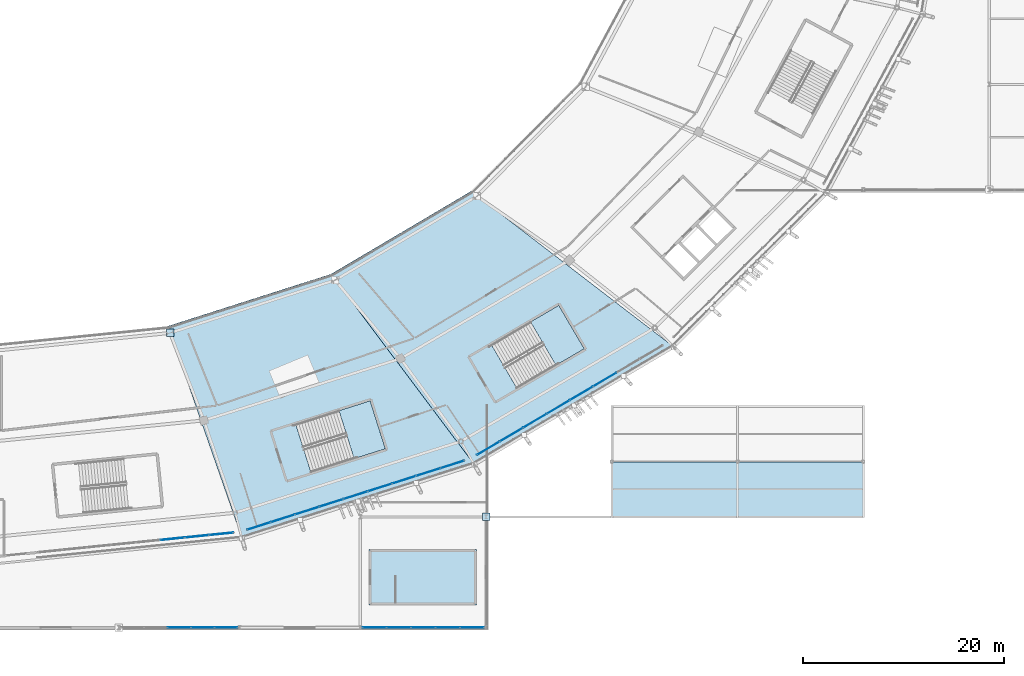
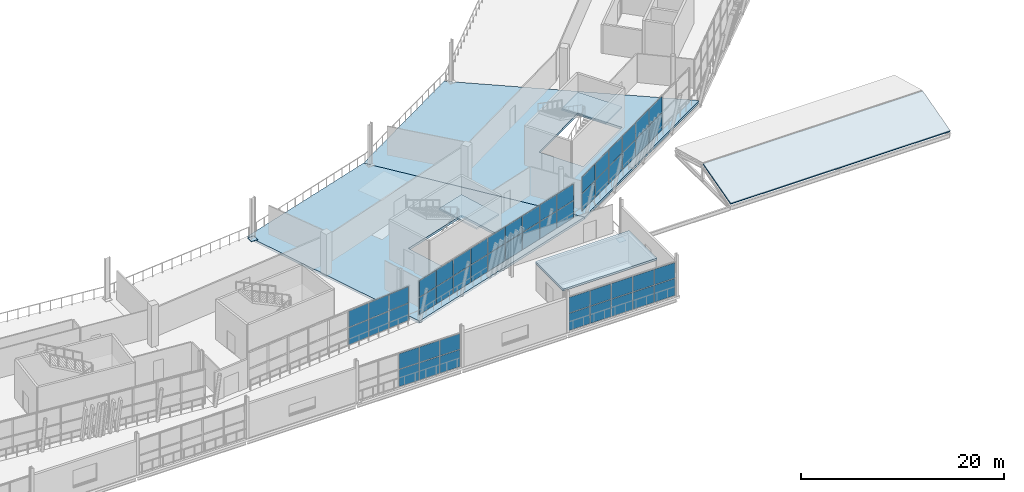
# One storey, part 96 of 179: 54 plates, 6 slabs, 8 elements without a shape of their own.
"""IFC4 building model written with IfcOpenShell, lengths in metres."""

from ifc_helpers import new_model, si_unit, direction, frame, origin, origin_2d, place, context, subcontext, project, spatial, polyline, rectangle, outline, extrude, material, layer, layer_set, type_object, element, aggregate, save


model = new_model("IFC4")

# Units and contexts
model_context = context("Model", 3, precision=1e-05, world=origin(), true_north=direction((0.0, 1.0)))
body_context = subcontext(model_context, "Body", "Model", "MODEL_VIEW")
ifc_project = project(units=[si_unit("LENGTHUNIT", "METRE"), si_unit("AREAUNIT", "SQUARE_METRE"), si_unit("VOLUMEUNIT", "CUBIC_METRE"), si_unit("PLANEANGLEUNIT", "RADIAN"), si_unit("MASSUNIT", "GRAM", prefix="KILO")], contexts=[model_context])

# Site, building, storey
site_placement = place(None, origin())
site = spatial("IfcSite", under=ifc_project, at=site_placement, CompositionType="ELEMENT")
building_placement = place(site_placement, origin())
building = spatial("IfcBuilding", under=site, at=building_placement, Name="Zlatoyarsky Gate Stadium", CompositionType="ELEMENT")
storey_placement = place(building_placement, frame((0.0, 0.0, 10.60009765625)))
storey = spatial("IfcBuildingStorey", under=building, at=storey_placement, Name="L02", CompositionType="ELEMENT", Elevation=10.60009765625)

# Curtain wall, plates
ifc_material_1 = material(Name="Thermally broken anodised aluminium curtain wall", Category="aluminium")
curtain_wall_type_1 = type_object("IfcCurtainWallType", Name="MONUMENTAL ARCHED GATE GLAZING UPPER", PredefinedType="USERDEFINED", material=ifc_material_1)
curtain_wall_1_placement = place(storey_placement, origin())
curtain_wall_1 = element("IfcCurtainWall", 1, at=curtain_wall_1_placement, inside=storey, type_object=curtain_wall_type_1, Name="Curtain wall CW-L02-18", ObjectType="ARCHED GATE GLAZING", PredefinedType="USERDEFINED")
ifc_material_2 = material(Name="Triple-glazed argon low-e architectural glass", Category="glass")
ifc_layer_1 = layer(ifc_material_2, 0.0458984375)
ifc_layer_set_1 = layer_set([ifc_layer_1], Name="Triple-glazed argon low-e architectural glass")
plate_type_1 = type_object("IfcPlateType", Name="ACOUSTIC LAMINATED GATE GLAZING PANEL 46", PredefinedType="CURTAIN_PANEL", material=ifc_layer_set_1)
plate_1_placement = place(storey_placement, frame((128.8388671875, 8.82861328125, 0.074951171875), z_axis=(0.0, 0.0, 1.0), x_axis=(0.994922667712, 0.100642363208, 0.0)))
plate_1 = element("IfcPlate", 2, at=plate_1_placement, type_object=plate_type_1, Name="CW-AG2 panel 6.1", PredefinedType="CURTAIN_PANEL", context=body_context, shape_type="SweptSolid", body=[
    extrude(rectangle(XDim=2.3759765625, YDim=0.0458984375, at=origin_2d()), origin(), (0.0, 0.0, 1.0), 2.03759765625),
])
plate_2_placement = place(storey_placement, frame((128.8388671875, 8.82861328125, 2.1875), z_axis=(0.0, 0.0, 1.0), x_axis=(0.994922667712, 0.100642363208, 0.0)))
plate_2 = element("IfcPlate", 3, at=plate_2_placement, type_object=plate_type_1, Name="CW-AG2 panel 6.2", PredefinedType="CURTAIN_PANEL", context=body_context, shape_type="SweptSolid", body=[
    extrude(rectangle(XDim=2.3759765625, YDim=0.0458984375, at=origin_2d()), origin(), (0.0, 0.0, 1.0), 1.9375),
])
plate_3_placement = place(storey_placement, frame((131.27734375, 9.0751953125, 0.074951171875), z_axis=(0.0, 0.0, 1.0), x_axis=(0.994922667712, 0.100642363208, 0.0)))
plate_3 = element("IfcPlate", 4, at=plate_3_placement, type_object=plate_type_1, Name="CW-AG2 panel 7.1", PredefinedType="CURTAIN_PANEL", context=body_context, shape_type="SweptSolid", body=[
    extrude(rectangle(XDim=2.3759765625, YDim=0.0458984375, at=origin_2d()), origin(), (0.0, 0.0, 1.0), 2.03759765625),
])
plate_4_placement = place(storey_placement, frame((131.27734375, 9.0751953125, 2.1875), z_axis=(0.0, 0.0, 1.0), x_axis=(0.994922667712, 0.100642363208, 0.0)))
plate_4 = element("IfcPlate", 5, at=plate_4_placement, type_object=plate_type_1, Name="CW-AG2 panel 7.2", PredefinedType="CURTAIN_PANEL", context=body_context, shape_type="SweptSolid", body=[
    extrude(rectangle(XDim=2.3759765625, YDim=0.0458984375, at=origin_2d()), origin(), (0.0, 0.0, 1.0), 1.9375),
])
plate_5_placement = place(storey_placement, frame((133.697021484375, 9.320068359375, 0.074951171875), z_axis=(0.0, 0.0, 1.0), x_axis=(0.994922667712, 0.100642363208, 0.0)))
plate_5 = element("IfcPlate", 6, at=plate_5_placement, type_object=plate_type_1, Name="CW-AG2 panel 8.1", PredefinedType="CURTAIN_PANEL", context=body_context, shape_type="SweptSolid", body=[
    extrude(rectangle(XDim=2.33837890625, YDim=0.0458984375, at=origin_2d()), origin(), (0.0, 0.0, 1.0), 2.03759765625),
])
plate_6_placement = place(storey_placement, frame((133.697021484375, 9.320068359375, 2.1875), z_axis=(0.0, 0.0, 1.0), x_axis=(0.994922667712, 0.100642363208, 0.0)))
plate_6 = element("IfcPlate", 7, at=plate_6_placement, type_object=plate_type_1, Name="CW-AG2 panel 8.2", PredefinedType="CURTAIN_PANEL", context=body_context, shape_type="SweptSolid", body=[
    extrude(rectangle(XDim=2.33837890625, YDim=0.0458984375, at=origin_2d()), origin(), (0.0, 0.0, 1.0), 1.9375),
])
aggregate(curtain_wall_1, [plate_1, plate_2, plate_3, plate_4, plate_5, plate_6])

# Roof, slab
ifc_material_3 = material(Name="Standing-seam aluminium-zinc roofing with mineral wool insulation", Category="aluminium")
ifc_layer_2 = layer(ifc_material_3, 0.080078125)
ifc_layer_set_2 = layer_set([ifc_layer_2], Name="Standing-seam aluminium-zinc roofing with mineral wool insulation")
roof_type = type_object("IfcRoofType", Name="WINTER GARDEN PAVILION ROOF ASSEMBLY", PredefinedType="PAVILION_ROOF", material=ifc_layer_set_2)
roof_placement = place(storey_placement, origin())
roof = element("IfcRoof", 8, at=roof_placement, inside=storey, type_object=roof_type, Name="V6_SE pavilion roof", PredefinedType="PAVILION_ROOF")
ifc_material_4 = material(Name="Concrete C40/50", Category="concrete")
ifc_layer_3 = layer(ifc_material_4, 0.159912109375)
ifc_layer_set_3 = layer_set([ifc_layer_3], Name="Concrete C40/50")
slab_type_1 = type_object("IfcSlabType", Name="COMPOSITE PORTICO CANOPY SLAB 160", PredefinedType="ROOF", material=ifc_layer_set_3)
slab_1_placement = place(storey_placement, frame((172.5, 11.0, 0.0), z_axis=(0.0, -0.263080822719, 0.964773797694), x_axis=(1.0, 0.0, 0.0)))
slab_1 = element("IfcSlab", 9, at=slab_1_placement, type_object=slab_type_1, Name="V6_SE sloped roof slab 1", PredefinedType="ROOF", context=body_context, shape_type="SweptSolid", body=[
    extrude(outline(polyline([(0.0, 0.0), (25.0, 0.0), (25.0, 5.646917505320693), (0.0, 5.646917505320693), (0.0, 0.0)])), origin(), (0.0, 0.0, -1.0), 0.159912109375),
])
aggregate(roof, [slab_1])

# Slabs
ifc_layer_4 = layer(ifc_material_4, 0.239990234375)
ifc_layer_set_4 = layer_set([ifc_layer_4], Name="Concrete C40/50")
slab_type_2 = type_object("IfcSlabType", Name="CONCRETE CORE TOP CAP SLAB 240", PredefinedType="ROOF", material=ifc_layer_set_4)
slab_2_placement = place(storey_placement, frame((0.0, 0.0, 3.199951171875)))
element("IfcSlab", 10, at=slab_2_placement, inside=storey, type_object=slab_type_2, Name="ST-30 stair headhouse roof cap", PredefinedType="ROOF", context=body_context, shape_type="SweptSolid", body=[
    extrude(outline(polyline([(148.35009765625, 2.25), (159.050048828125, 2.25), (159.050048828125, 7.75), (148.35009765625, 7.75), (148.35009765625, 2.25)])), origin(), (0.0, 0.0, 1.0), 0.239990234375),
])
ifc_layer_5 = layer(ifc_material_4, 0.280029296875)
ifc_layer_set_5 = layer_set([ifc_layer_5], Name="Concrete C40/50")
slab_type_3 = type_object("IfcSlabType", Name="CONCRETE HOSPITALITY SLAB 280", PredefinedType="FLOOR", material=ifc_layer_set_5)
slab_3_placement = place(storey_placement, frame((0.0, 0.0, -0.280029296875)))
element("IfcSlab", 11, at=slab_3_placement, inside=storey, type_object=slab_type_3, Name="L02 bowl sector 19 slab", PredefinedType="FLOOR", context=body_context, shape_type="SweptSolid", body=[
    extrude(outline(polyline([(144.60009765625, 35.139892578125), (158.837890625, 16.19482421875), (135.7626953125, 8.83447265625), (128.392578125, 29.965087890625), (144.60009765625, 35.139892578125)]), holes=[polyline([(141.09228515625, 20.205078125), (142.60009765625, 15.437744140625), (149.9892578125, 17.7744140625), (148.481689453125, 22.541748046875), (141.09228515625, 20.205078125)])]), origin(), (0.0, 0.0, 1.0), 0.280029296875),
])
slab_4_placement = place(storey_placement, frame((0.0, 0.0, -0.280029296875)))
element("IfcSlab", 12, at=slab_4_placement, inside=storey, type_object=slab_type_3, Name="L02 bowl sector 20 slab", PredefinedType="FLOOR", context=body_context, shape_type="SweptSolid", body=[
    extrude(outline(polyline([(158.517578125, 43.371826171875), (178.653076171875, 27.9033203125), (158.837890625, 16.19482421875), (144.60009765625, 35.139892578125), (158.517578125, 43.371826171875)]), holes=[polyline([(160.538330078125, 28.10986328125), (163.065673828125, 23.795654296875), (169.752685546875, 27.712890625), (167.225341796875, 32.027099609375), (160.538330078125, 28.10986328125)])]), origin(), (0.0, 0.0, 1.0), 0.280029296875),
])

# Stair, slab
stair_type = type_object("IfcStairType", Name="CONCRETE DOGLEG EXIT STAIR H5000", PredefinedType="TWO_STRAIGHT_RUN_STAIR", material=ifc_material_4)
stair_1_placement = place(storey_placement, origin())
stair_1 = element("IfcStair", 13, at=stair_1_placement, inside=storey, type_object=stair_type, Name="L02 Exit Stair ST-11", PredefinedType="TWO_STRAIGHT_RUN_STAIR")
ifc_layer_6 = layer(ifc_material_4, 0.199951171875)
ifc_layer_set_6 = layer_set([ifc_layer_6], Name="Concrete C40/50")
slab_type_4 = type_object("IfcSlabType", Name="CONCRETE STAIR LANDING SLAB 200", PredefinedType="LANDING", material=ifc_layer_set_6)
slab_5_placement = place(storey_placement, frame((0.0, 0.0, 2.2998046875)))
slab_5 = element("IfcSlab", 14, at=slab_5_placement, type_object=slab_type_4, Name="ST-DG50 landing 1", PredefinedType="LANDING", context=body_context, shape_type="SweptSolid", body=[
    extrude(outline(polyline([(166.948486328125, 26.070068359375), (169.752685546875, 27.712890625), (167.225341796875, 32.027099609375), (164.421142578125, 30.384521484375), (166.948486328125, 26.070068359375)])), origin(), (0.0, 0.0, 1.0), 0.2001953125),
])
aggregate(stair_1, [slab_5])

stair_2_placement = place(storey_placement, origin())
stair_2 = element("IfcStair", 15, at=stair_2_placement, inside=storey, type_object=stair_type, Name="L02 Exit Stair ST-16", PredefinedType="TWO_STRAIGHT_RUN_STAIR")
slab_6_placement = place(storey_placement, frame((0.0, 0.0, 2.2998046875)))
slab_6 = element("IfcSlab", 16, at=slab_6_placement, type_object=slab_type_4, Name="ST-DG50 landing 1", PredefinedType="LANDING", context=body_context, shape_type="SweptSolid", body=[
    extrude(outline(polyline([(146.890625, 16.794677734375), (149.9892578125, 17.7744140625), (148.481689453125, 22.541748046875), (145.383056640625, 21.56201171875), (146.890625, 16.794677734375)])), origin(), (0.0, 0.0, 1.0), 0.2001953125),
])
aggregate(stair_2, [slab_6])

# Curtain wall, plates
curtain_wall_type_2 = type_object("IfcCurtainWallType", Name="WINTER GARDEN CONSERVATORY GLAZING", PredefinedType="USERDEFINED", material=ifc_material_1)
curtain_wall_2_placement = place(storey_placement, origin())
curtain_wall_2 = element("IfcCurtainWall", 17, at=curtain_wall_2_placement, inside=storey, type_object=curtain_wall_type_2, Name="Curtain wall CW-V3_SOUTH-L02-164", ObjectType="UNITISED GLAZING", PredefinedType="USERDEFINED")
ifc_material_5 = material(Name="Anodised aluminium spandrel panel", Category="aluminium")
ifc_layer_7 = layer(ifc_material_5, 0.05810546875)
ifc_layer_set_7 = layer_set([ifc_layer_7], Name="Anodised aluminium spandrel panel")
plate_type_2 = type_object("IfcPlateType", Name="INSULATED ALUMINIUM SPANDREL PANEL 58", PredefinedType="CURTAIN_PANEL", material=ifc_layer_set_7)
plate_7_placement = place(storey_placement, frame((148.895751953125, 0.0, 0.06494140625), z_axis=(0.0, 0.0, 1.0), x_axis=(1.0, 0.0, 0.0)))
plate_7 = element("IfcPlate", 18, at=plate_7_placement, type_object=plate_type_2, Name="CW-WG1 panel 1.1", PredefinedType="CURTAIN_PANEL", context=body_context, shape_type="SweptSolid", body=[
    extrude(rectangle(XDim=2.337646484375, YDim=0.05810546875, at=origin_2d()), origin(), (0.0, 0.0, 1.0), 2.052490234375),
])
plate_8_placement = place(storey_placement, frame((148.895751953125, 0.0, 2.182373046875), z_axis=(0.0, 0.0, 1.0), x_axis=(1.0, 0.0, 0.0)))
plate_8 = element("IfcPlate", 19, at=plate_8_placement, type_object=plate_type_2, Name="CW-WG1 panel 1.2", PredefinedType="CURTAIN_PANEL", context=body_context, shape_type="SweptSolid", body=[
    extrude(rectangle(XDim=2.337646484375, YDim=0.05810546875, at=origin_2d()), origin(), (0.0, 0.0, 1.0), 1.8525390625),
])
plate_9_placement = place(storey_placement, frame((151.314697265625, 0.0, 0.06494140625), z_axis=(0.0, 0.0, 1.0), x_axis=(1.0, 0.0, 0.0)))
plate_9 = element("IfcPlate", 20, at=plate_9_placement, type_object=plate_type_2, Name="CW-WG1 panel 2.1", PredefinedType="CURTAIN_PANEL", context=body_context, shape_type="SweptSolid", body=[
    extrude(rectangle(XDim=2.3701171875, YDim=0.05810546875, at=origin_2d()), origin(), (0.0, 0.0, 1.0), 2.052490234375),
])
plate_10_placement = place(storey_placement, frame((151.314697265625, 0.0, 2.182373046875), z_axis=(0.0, 0.0, 1.0), x_axis=(1.0, 0.0, 0.0)))
plate_10 = element("IfcPlate", 21, at=plate_10_placement, type_object=plate_type_2, Name="CW-WG1 panel 2.2", PredefinedType="CURTAIN_PANEL", context=body_context, shape_type="SweptSolid", body=[
    extrude(rectangle(XDim=2.3701171875, YDim=0.05810546875, at=origin_2d()), origin(), (0.0, 0.0, 1.0), 1.8525390625),
])
plate_11_placement = place(storey_placement, frame((153.75, 0.0, 0.06494140625), z_axis=(0.0, 0.0, 1.0), x_axis=(1.0, 0.0, 0.0)))
plate_11 = element("IfcPlate", 22, at=plate_11_placement, type_object=plate_type_2, Name="CW-WG1 panel 3.1", PredefinedType="CURTAIN_PANEL", context=body_context, shape_type="SweptSolid", body=[
    extrude(rectangle(XDim=2.3701171875, YDim=0.05810546875, at=origin_2d()), origin(), (0.0, 0.0, 1.0), 2.052490234375),
])
plate_12_placement = place(storey_placement, frame((153.75, 0.0, 2.182373046875), z_axis=(0.0, 0.0, 1.0), x_axis=(1.0, 0.0, 0.0)))
plate_12 = element("IfcPlate", 23, at=plate_12_placement, type_object=plate_type_2, Name="CW-WG1 panel 3.2", PredefinedType="CURTAIN_PANEL", context=body_context, shape_type="SweptSolid", body=[
    extrude(rectangle(XDim=2.3701171875, YDim=0.05810546875, at=origin_2d()), origin(), (0.0, 0.0, 1.0), 1.8525390625),
])
plate_13_placement = place(storey_placement, frame((156.185302734375, 0.0, 0.06494140625), z_axis=(0.0, 0.0, 1.0), x_axis=(1.0, 0.0, 0.0)))
plate_13 = element("IfcPlate", 24, at=plate_13_placement, type_object=plate_type_2, Name="CW-WG1 panel 4.1", PredefinedType="CURTAIN_PANEL", context=body_context, shape_type="SweptSolid", body=[
    extrude(rectangle(XDim=2.3701171875, YDim=0.05810546875, at=origin_2d()), origin(), (0.0, 0.0, 1.0), 2.052490234375),
])
plate_14_placement = place(storey_placement, frame((156.185302734375, 0.0, 2.182373046875), z_axis=(0.0, 0.0, 1.0), x_axis=(1.0, 0.0, 0.0)))
plate_14 = element("IfcPlate", 25, at=plate_14_placement, type_object=plate_type_2, Name="CW-WG1 panel 4.2", PredefinedType="CURTAIN_PANEL", context=body_context, shape_type="SweptSolid", body=[
    extrude(rectangle(XDim=2.3701171875, YDim=0.05810546875, at=origin_2d()), origin(), (0.0, 0.0, 1.0), 1.8525390625),
])
plate_15_placement = place(storey_placement, frame((158.604248046875, 0.0, 0.06494140625), z_axis=(0.0, 0.0, 1.0), x_axis=(1.0, 0.0, 0.0)))
plate_15 = element("IfcPlate", 26, at=plate_15_placement, type_object=plate_type_2, Name="CW-WG1 panel 5.1", PredefinedType="CURTAIN_PANEL", context=body_context, shape_type="SweptSolid", body=[
    extrude(rectangle(XDim=2.337646484375, YDim=0.05810546875, at=origin_2d()), origin(), (0.0, 0.0, 1.0), 2.052490234375),
])
plate_16_placement = place(storey_placement, frame((158.604248046875, 0.0, 2.182373046875), z_axis=(0.0, 0.0, 1.0), x_axis=(1.0, 0.0, 0.0)))
plate_16 = element("IfcPlate", 27, at=plate_16_placement, type_object=plate_type_2, Name="CW-WG1 panel 5.2", PredefinedType="CURTAIN_PANEL", context=body_context, shape_type="SweptSolid", body=[
    extrude(rectangle(XDim=2.337646484375, YDim=0.05810546875, at=origin_2d()), origin(), (0.0, 0.0, 1.0), 1.8525390625),
])
aggregate(curtain_wall_2, [plate_7, plate_8, plate_9, plate_10, plate_11, plate_12, plate_13, plate_14, plate_15, plate_16])

# Plates
ifc_material_6 = material(Name="Steel S355", Category="steel")
ifc_layer_8 = layer(ifc_material_6, 0.0400390625)
ifc_layer_set_8 = layer_set([ifc_layer_8], Name="Steel S355")
plate_type_3 = type_object("IfcPlateType", Name="STEEL COLUMN BASE PLATE 40", PredefinedType="USERDEFINED", material=ifc_layer_set_8)
for number, where, z_axis, x_axis, name in (
    (28, (128.599609375, 29.288818359375, 0.0), (0.0, 0.0, 1.0), (1.0, 0.0, 0.0), "Column base plate BP-01 at RA-19 L02"),
    (29, (160.0, 11.0, 0.0), (0.0, 0.0, 1.0), (1.0, 0.0, 0.0), "Column base plate BP-01 at WG-14-B L02"),
):
    element("IfcPlate", number, at=place(storey_placement, frame(where, z_axis=z_axis, x_axis=x_axis)), inside=storey, type_object=plate_type_3, Name=name, ObjectType="BASE PLATE", PredefinedType="USERDEFINED", context=body_context, shape_type="SweptSolid", body=[
        extrude(rectangle(XDim=0.75, YDim=0.75, at=origin_2d()), origin(), (0.0, 0.0, 1.0), 0.0400390625),
    ])

# Curtain wall, plates
curtain_wall_type_3 = type_object("IfcCurtainWallType", Name="UNITISED HOSPITALITY GLAZING L02", PredefinedType="USERDEFINED", material=ifc_material_1)
curtain_wall_3_placement = place(storey_placement, origin())
curtain_wall_3 = element("IfcCurtainWall", 30, at=curtain_wall_3_placement, inside=storey, type_object=curtain_wall_type_3, Name="Curtain wall CW-L02-19", ObjectType="UNITISED GLAZING", PredefinedType="USERDEFINED")
ifc_layer_9 = layer(ifc_material_2, 0.0380859375)
ifc_layer_set_9 = layer_set([ifc_layer_9], Name="Triple-glazed argon low-e architectural glass")
plate_type_4 = type_object("IfcPlateType", Name="TRIPLE GLAZED LOW E CURTAIN PANEL 38", PredefinedType="CURTAIN_PANEL", material=ifc_layer_set_9)
plate_17_placement = place(storey_placement, frame((137.420166015625, 10.095947265625, 0.06494140625), z_axis=(0.0, 0.0, 1.0), x_axis=(0.952902096538, 0.303278080998, 0.0)))
plate_17 = element("IfcPlate", 31, at=plate_17_placement, type_object=plate_type_4, Name="CW-UG2 panel 1.1", PredefinedType="CURTAIN_PANEL", context=body_context, shape_type="SweptSolid", body=[
    extrude(rectangle(XDim=2.428955078125, YDim=0.0380859375, at=origin_2d()), origin(), (0.0, 0.0, 1.0), 2.052490234375),
])
plate_18_placement = place(storey_placement, frame((137.420166015625, 10.095947265625, 2.1826171875), z_axis=(0.0, 0.0, 1.0), x_axis=(0.952902096538, 0.303278080998, 0.0)))
plate_18 = element("IfcPlate", 32, at=plate_18_placement, type_object=plate_type_4, Name="CW-UG2 panel 1.2", PredefinedType="CURTAIN_PANEL", context=body_context, shape_type="SweptSolid", body=[
    extrude(rectangle(XDim=2.428955078125, YDim=0.0380859375, at=origin_2d()), origin(), (0.0, 0.0, 1.0), 1.952392578125),
])
plate_19_placement = place(storey_placement, frame((139.812255859375, 10.857177734375, 0.06494140625), z_axis=(0.0, 0.0, 1.0), x_axis=(0.952902096538, 0.303278080998, 0.0)))
plate_19 = element("IfcPlate", 33, at=plate_19_placement, type_object=plate_type_4, Name="CW-UG2 panel 2.1", PredefinedType="CURTAIN_PANEL", context=body_context, shape_type="SweptSolid", body=[
    extrude(rectangle(XDim=2.46142578125, YDim=0.0380859375, at=origin_2d()), origin(), (0.0, 0.0, 1.0), 2.052490234375),
])
plate_20_placement = place(storey_placement, frame((139.812255859375, 10.857177734375, 2.1826171875), z_axis=(0.0, 0.0, 1.0), x_axis=(0.952902096538, 0.303278080998, 0.0)))
plate_20 = element("IfcPlate", 34, at=plate_20_placement, type_object=plate_type_4, Name="CW-UG2 panel 2.2", PredefinedType="CURTAIN_PANEL", context=body_context, shape_type="SweptSolid", body=[
    extrude(rectangle(XDim=2.46142578125, YDim=0.0380859375, at=origin_2d()), origin(), (0.0, 0.0, 1.0), 1.952392578125),
])
plate_21_placement = place(storey_placement, frame((142.2197265625, 11.623291015625, 0.06494140625), z_axis=(0.0, 0.0, 1.0), x_axis=(0.952902096538, 0.303278080998, 0.0)))
plate_21 = element("IfcPlate", 35, at=plate_21_placement, type_object=plate_type_4, Name="CW-UG2 panel 3.1", PredefinedType="CURTAIN_PANEL", context=body_context, shape_type="SweptSolid", body=[
    extrude(rectangle(XDim=2.46142578125, YDim=0.0380859375, at=origin_2d()), origin(), (0.0, 0.0, 1.0), 2.052490234375),
])
plate_22_placement = place(storey_placement, frame((142.2197265625, 11.623291015625, 2.1826171875), z_axis=(0.0, 0.0, 1.0), x_axis=(0.952902096538, 0.303278080998, 0.0)))
plate_22 = element("IfcPlate", 36, at=plate_22_placement, type_object=plate_type_4, Name="CW-UG2 panel 3.2", PredefinedType="CURTAIN_PANEL", context=body_context, shape_type="SweptSolid", body=[
    extrude(rectangle(XDim=2.46142578125, YDim=0.0380859375, at=origin_2d()), origin(), (0.0, 0.0, 1.0), 1.952392578125),
])
plate_23_placement = place(storey_placement, frame((144.627197265625, 12.3896484375, 0.06494140625), z_axis=(0.0, 0.0, 1.0), x_axis=(0.952902096538, 0.303278080998, 0.0)))
plate_23 = element("IfcPlate", 37, at=plate_23_placement, type_object=plate_type_4, Name="CW-UG2 panel 4.1", PredefinedType="CURTAIN_PANEL", context=body_context, shape_type="SweptSolid", body=[
    extrude(rectangle(XDim=2.46142578125, YDim=0.0380859375, at=origin_2d()), origin(), (0.0, 0.0, 1.0), 2.052490234375),
])
plate_24_placement = place(storey_placement, frame((144.627197265625, 12.3896484375, 2.1826171875), z_axis=(0.0, 0.0, 1.0), x_axis=(0.952902096538, 0.303278080998, 0.0)))
plate_24 = element("IfcPlate", 38, at=plate_24_placement, type_object=plate_type_4, Name="CW-UG2 panel 4.2", PredefinedType="CURTAIN_PANEL", context=body_context, shape_type="SweptSolid", body=[
    extrude(rectangle(XDim=2.46142578125, YDim=0.0380859375, at=origin_2d()), origin(), (0.0, 0.0, 1.0), 1.952392578125),
])
plate_25_placement = place(storey_placement, frame((147.034912109375, 13.15576171875, 0.06494140625), z_axis=(0.0, 0.0, 1.0), x_axis=(0.952902096538, 0.303278080998, 0.0)))
plate_25 = element("IfcPlate", 39, at=plate_25_placement, type_object=plate_type_4, Name="CW-UG2 panel 5.1", PredefinedType="CURTAIN_PANEL", context=body_context, shape_type="SweptSolid", body=[
    extrude(rectangle(XDim=2.46142578125, YDim=0.0380859375, at=origin_2d()), origin(), (0.0, 0.0, 1.0), 2.052490234375),
])
plate_26_placement = place(storey_placement, frame((147.034912109375, 13.15576171875, 2.1826171875), z_axis=(0.0, 0.0, 1.0), x_axis=(0.952902096538, 0.303278080998, 0.0)))
plate_26 = element("IfcPlate", 40, at=plate_26_placement, type_object=plate_type_4, Name="CW-UG2 panel 5.2", PredefinedType="CURTAIN_PANEL", context=body_context, shape_type="SweptSolid", body=[
    extrude(rectangle(XDim=2.46142578125, YDim=0.0380859375, at=origin_2d()), origin(), (0.0, 0.0, 1.0), 1.952392578125),
])
plate_27_placement = place(storey_placement, frame((149.4423828125, 13.922119140625, 0.06494140625), z_axis=(0.0, 0.0, 1.0), x_axis=(0.952902096538, 0.303278080998, 0.0)))
plate_27 = element("IfcPlate", 41, at=plate_27_placement, type_object=plate_type_4, Name="CW-UG2 panel 6.1", PredefinedType="CURTAIN_PANEL", context=body_context, shape_type="SweptSolid", body=[
    extrude(rectangle(XDim=2.46142578125, YDim=0.0380859375, at=origin_2d()), origin(), (0.0, 0.0, 1.0), 2.052490234375),
])
plate_28_placement = place(storey_placement, frame((149.4423828125, 13.922119140625, 2.1826171875), z_axis=(0.0, 0.0, 1.0), x_axis=(0.952902096538, 0.303278080998, 0.0)))
plate_28 = element("IfcPlate", 42, at=plate_28_placement, type_object=plate_type_4, Name="CW-UG2 panel 6.2", PredefinedType="CURTAIN_PANEL", context=body_context, shape_type="SweptSolid", body=[
    extrude(rectangle(XDim=2.46142578125, YDim=0.0380859375, at=origin_2d()), origin(), (0.0, 0.0, 1.0), 1.952392578125),
])
plate_29_placement = place(storey_placement, frame((151.849853515625, 14.688232421875, 0.06494140625), z_axis=(0.0, 0.0, 1.0), x_axis=(0.952902096538, 0.303278080998, 0.0)))
plate_29 = element("IfcPlate", 43, at=plate_29_placement, type_object=plate_type_4, Name="CW-UG2 panel 7.1", PredefinedType="CURTAIN_PANEL", context=body_context, shape_type="SweptSolid", body=[
    extrude(rectangle(XDim=2.46142578125, YDim=0.0380859375, at=origin_2d()), origin(), (0.0, 0.0, 1.0), 2.052490234375),
])
plate_30_placement = place(storey_placement, frame((151.849853515625, 14.688232421875, 2.1826171875), z_axis=(0.0, 0.0, 1.0), x_axis=(0.952902096538, 0.303278080998, 0.0)))
plate_30 = element("IfcPlate", 44, at=plate_30_placement, type_object=plate_type_4, Name="CW-UG2 panel 7.2", PredefinedType="CURTAIN_PANEL", context=body_context, shape_type="SweptSolid", body=[
    extrude(rectangle(XDim=2.46142578125, YDim=0.0380859375, at=origin_2d()), origin(), (0.0, 0.0, 1.0), 1.952392578125),
])
plate_31_placement = place(storey_placement, frame((154.25732421875, 15.45458984375, 0.06494140625), z_axis=(0.0, 0.0, 1.0), x_axis=(0.952902096538, 0.303278080998, 0.0)))
plate_31 = element("IfcPlate", 45, at=plate_31_placement, type_object=plate_type_4, Name="CW-UG2 panel 8.1", PredefinedType="CURTAIN_PANEL", context=body_context, shape_type="SweptSolid", body=[
    extrude(rectangle(XDim=2.46142578125, YDim=0.0380859375, at=origin_2d()), origin(), (0.0, 0.0, 1.0), 2.052490234375),
])
plate_32_placement = place(storey_placement, frame((154.25732421875, 15.45458984375, 2.1826171875), z_axis=(0.0, 0.0, 1.0), x_axis=(0.952902096538, 0.303278080998, 0.0)))
plate_32 = element("IfcPlate", 46, at=plate_32_placement, type_object=plate_type_4, Name="CW-UG2 panel 8.2", PredefinedType="CURTAIN_PANEL", context=body_context, shape_type="SweptSolid", body=[
    extrude(rectangle(XDim=2.46142578125, YDim=0.0380859375, at=origin_2d()), origin(), (0.0, 0.0, 1.0), 1.952392578125),
])
plate_33_placement = place(storey_placement, frame((156.6494140625, 16.2158203125, 0.06494140625), z_axis=(0.0, 0.0, 1.0), x_axis=(0.952902096538, 0.303278080998, 0.0)))
plate_33 = element("IfcPlate", 47, at=plate_33_placement, type_object=plate_type_4, Name="CW-UG2 panel 9.1", PredefinedType="CURTAIN_PANEL", context=body_context, shape_type="SweptSolid", body=[
    extrude(rectangle(XDim=2.428955078125, YDim=0.0380859375, at=origin_2d()), origin(), (0.0, 0.0, 1.0), 2.052490234375),
])
plate_34_placement = place(storey_placement, frame((156.6494140625, 16.2158203125, 2.1826171875), z_axis=(0.0, 0.0, 1.0), x_axis=(0.952902096538, 0.303278080998, 0.0)))
plate_34 = element("IfcPlate", 48, at=plate_34_placement, type_object=plate_type_4, Name="CW-UG2 panel 9.2", PredefinedType="CURTAIN_PANEL", context=body_context, shape_type="SweptSolid", body=[
    extrude(rectangle(XDim=2.428955078125, YDim=0.0380859375, at=origin_2d()), origin(), (0.0, 0.0, 1.0), 1.952392578125),
])
aggregate(curtain_wall_3, [plate_17, plate_18, plate_19, plate_20, plate_21, plate_22, plate_23, plate_24, plate_25, plate_26, plate_27, plate_28, plate_29, plate_30, plate_31, plate_32, plate_33, plate_34])

curtain_wall_4_placement = place(storey_placement, origin())
curtain_wall_4 = element("IfcCurtainWall", 49, at=curtain_wall_4_placement, inside=storey, type_object=curtain_wall_type_3, Name="Curtain wall CW-L02-20", ObjectType="UNITISED GLAZING", PredefinedType="USERDEFINED")
plate_35_placement = place(storey_placement, frame((160.22119140625, 17.822998046875, 0.06494140625), z_axis=(0.0, 0.0, 1.0), x_axis=(0.861425239802, 0.507884392586, 0.0)))
plate_35 = element("IfcPlate", 50, at=plate_35_placement, type_object=plate_type_4, Name="CW-UG2 panel 1.1", PredefinedType="CURTAIN_PANEL", context=body_context, shape_type="SweptSolid", body=[
    extrude(rectangle(XDim=2.59423828125, YDim=0.0380859375, at=origin_2d()), origin(), (0.0, 0.0, 1.0), 2.052490234375),
])
plate_36_placement = place(storey_placement, frame((160.22119140625, 17.822998046875, 2.1826171875), z_axis=(0.0, 0.0, 1.0), x_axis=(0.861425239802, 0.507884392586, 0.0)))
plate_36 = element("IfcPlate", 51, at=plate_36_placement, type_object=plate_type_4, Name="CW-UG2 panel 1.2", PredefinedType="CURTAIN_PANEL", context=body_context, shape_type="SweptSolid", body=[
    extrude(rectangle(XDim=2.59423828125, YDim=0.0380859375, at=origin_2d()), origin(), (0.0, 0.0, 1.0), 1.952392578125),
])
plate_37_placement = place(storey_placement, frame((162.526123046875, 19.181884765625, 0.06494140625), z_axis=(0.0, 0.0, 1.0), x_axis=(0.861425239802, 0.507884392586, 0.0)))
plate_37 = element("IfcPlate", 52, at=plate_37_placement, type_object=plate_type_4, Name="CW-UG2 panel 2.1", PredefinedType="CURTAIN_PANEL", context=body_context, shape_type="SweptSolid", body=[
    extrude(rectangle(XDim=2.626708984375, YDim=0.0380859375, at=origin_2d()), origin(), (0.0, 0.0, 1.0), 2.052490234375),
])
plate_38_placement = place(storey_placement, frame((162.526123046875, 19.181884765625, 2.1826171875), z_axis=(0.0, 0.0, 1.0), x_axis=(0.861425239802, 0.507884392586, 0.0)))
plate_38 = element("IfcPlate", 53, at=plate_38_placement, type_object=plate_type_4, Name="CW-UG2 panel 2.2", PredefinedType="CURTAIN_PANEL", context=body_context, shape_type="SweptSolid", body=[
    extrude(rectangle(XDim=2.626708984375, YDim=0.0380859375, at=origin_2d()), origin(), (0.0, 0.0, 1.0), 1.952392578125),
])
plate_39_placement = place(storey_placement, frame((164.844970703125, 20.548828125, 0.06494140625), z_axis=(0.0, 0.0, 1.0), x_axis=(0.861425239802, 0.507884392586, 0.0)))
plate_39 = element("IfcPlate", 54, at=plate_39_placement, type_object=plate_type_4, Name="CW-UG2 panel 3.1", PredefinedType="CURTAIN_PANEL", context=body_context, shape_type="SweptSolid", body=[
    extrude(rectangle(XDim=2.626708984375, YDim=0.0380859375, at=origin_2d()), origin(), (0.0, 0.0, 1.0), 2.052490234375),
])
plate_40_placement = place(storey_placement, frame((164.844970703125, 20.548828125, 2.1826171875), z_axis=(0.0, 0.0, 1.0), x_axis=(0.861425239802, 0.507884392586, 0.0)))
plate_40 = element("IfcPlate", 55, at=plate_40_placement, type_object=plate_type_4, Name="CW-UG2 panel 3.2", PredefinedType="CURTAIN_PANEL", context=body_context, shape_type="SweptSolid", body=[
    extrude(rectangle(XDim=2.626708984375, YDim=0.0380859375, at=origin_2d()), origin(), (0.0, 0.0, 1.0), 1.952392578125),
])
plate_41_placement = place(storey_placement, frame((167.16357421875, 21.916015625, 0.06494140625), z_axis=(0.0, 0.0, 1.0), x_axis=(0.861425239802, 0.507884392586, 0.0)))
plate_41 = element("IfcPlate", 56, at=plate_41_placement, type_object=plate_type_4, Name="CW-UG2 panel 4.1", PredefinedType="CURTAIN_PANEL", context=body_context, shape_type="SweptSolid", body=[
    extrude(rectangle(XDim=2.626708984375, YDim=0.0380859375, at=origin_2d()), origin(), (0.0, 0.0, 1.0), 2.052490234375),
])
plate_42_placement = place(storey_placement, frame((167.16357421875, 21.916015625, 2.1826171875), z_axis=(0.0, 0.0, 1.0), x_axis=(0.861425239802, 0.507884392586, 0.0)))
plate_42 = element("IfcPlate", 57, at=plate_42_placement, type_object=plate_type_4, Name="CW-UG2 panel 4.2", PredefinedType="CURTAIN_PANEL", context=body_context, shape_type="SweptSolid", body=[
    extrude(rectangle(XDim=2.626708984375, YDim=0.0380859375, at=origin_2d()), origin(), (0.0, 0.0, 1.0), 1.952392578125),
])
plate_43_placement = place(storey_placement, frame((169.482421875, 23.283203125, 0.06494140625), z_axis=(0.0, 0.0, 1.0), x_axis=(0.861425239802, 0.507884392586, 0.0)))
plate_43 = element("IfcPlate", 58, at=plate_43_placement, type_object=plate_type_4, Name="CW-UG2 panel 5.1", PredefinedType="CURTAIN_PANEL", context=body_context, shape_type="SweptSolid", body=[
    extrude(rectangle(XDim=2.626708984375, YDim=0.0380859375, at=origin_2d()), origin(), (0.0, 0.0, 1.0), 2.052490234375),
])
plate_44_placement = place(storey_placement, frame((169.482421875, 23.283203125, 2.1826171875), z_axis=(0.0, 0.0, 1.0), x_axis=(0.861425239802, 0.507884392586, 0.0)))
plate_44 = element("IfcPlate", 59, at=plate_44_placement, type_object=plate_type_4, Name="CW-UG2 panel 5.2", PredefinedType="CURTAIN_PANEL", context=body_context, shape_type="SweptSolid", body=[
    extrude(rectangle(XDim=2.626708984375, YDim=0.0380859375, at=origin_2d()), origin(), (0.0, 0.0, 1.0), 1.952392578125),
])
plate_45_placement = place(storey_placement, frame((171.80126953125, 24.650390625, 0.06494140625), z_axis=(0.0, 0.0, 1.0), x_axis=(0.861425239802, 0.507884392586, 0.0)))
plate_45 = element("IfcPlate", 60, at=plate_45_placement, type_object=plate_type_4, Name="CW-UG2 panel 6.1", PredefinedType="CURTAIN_PANEL", context=body_context, shape_type="SweptSolid", body=[
    extrude(rectangle(XDim=2.626708984375, YDim=0.0380859375, at=origin_2d()), origin(), (0.0, 0.0, 1.0), 2.052490234375),
])
plate_46_placement = place(storey_placement, frame((171.80126953125, 24.650390625, 2.1826171875), z_axis=(0.0, 0.0, 1.0), x_axis=(0.861425239802, 0.507884392586, 0.0)))
plate_46 = element("IfcPlate", 61, at=plate_46_placement, type_object=plate_type_4, Name="CW-UG2 panel 6.2", PredefinedType="CURTAIN_PANEL", context=body_context, shape_type="SweptSolid", body=[
    extrude(rectangle(XDim=2.626708984375, YDim=0.0380859375, at=origin_2d()), origin(), (0.0, 0.0, 1.0), 1.952392578125),
])
aggregate(curtain_wall_4, [plate_35, plate_36, plate_37, plate_38, plate_39, plate_40, plate_41, plate_42, plate_43, plate_44, plate_45, plate_46])

curtain_wall_5_placement = place(storey_placement, origin())
curtain_wall_5 = element("IfcCurtainWall", 62, at=curtain_wall_5_placement, inside=storey, type_object=curtain_wall_type_2, Name="Curtain wall CW-V3_SOUTH-L02-163", ObjectType="UNITISED GLAZING", PredefinedType="USERDEFINED")
plate_47_placement = place(storey_placement, frame((129.5, 0.0, 0.06494140625), z_axis=(0.0, 0.0, 1.0), x_axis=(1.0, 0.0, 0.0)))
plate_47 = element("IfcPlate", 63, at=plate_47_placement, type_object=plate_type_4, Name="CW-WG1 panel 3.1", PredefinedType="CURTAIN_PANEL", context=body_context, shape_type="SweptSolid", body=[
    extrude(rectangle(XDim=2.270263671875, YDim=0.0380859375, at=origin_2d()), origin(), (0.0, 0.0, 1.0), 2.052490234375),
])
plate_48_placement = place(storey_placement, frame((129.5, 0.0, 2.182373046875), z_axis=(0.0, 0.0, 1.0), x_axis=(1.0, 0.0, 0.0)))
plate_48 = element("IfcPlate", 64, at=plate_48_placement, type_object=plate_type_4, Name="CW-WG1 panel 3.2", PredefinedType="CURTAIN_PANEL", context=body_context, shape_type="SweptSolid", body=[
    extrude(rectangle(XDim=2.270263671875, YDim=0.0380859375, at=origin_2d()), origin(), (0.0, 0.0, 1.0), 1.8525390625),
])
plate_49_placement = place(storey_placement, frame((131.835205078125, 0.0, 0.06494140625), z_axis=(0.0, 0.0, 1.0), x_axis=(1.0, 0.0, 0.0)))
plate_49 = element("IfcPlate", 65, at=plate_49_placement, type_object=plate_type_4, Name="CW-WG1 panel 4.1", PredefinedType="CURTAIN_PANEL", context=body_context, shape_type="SweptSolid", body=[
    extrude(rectangle(XDim=2.270263671875, YDim=0.0380859375, at=origin_2d()), origin(), (0.0, 0.0, 1.0), 2.052490234375),
])
plate_50_placement = place(storey_placement, frame((131.835205078125, 0.0, 2.182373046875), z_axis=(0.0, 0.0, 1.0), x_axis=(1.0, 0.0, 0.0)))
plate_50 = element("IfcPlate", 66, at=plate_50_placement, type_object=plate_type_4, Name="CW-WG1 panel 4.2", PredefinedType="CURTAIN_PANEL", context=body_context, shape_type="SweptSolid", body=[
    extrude(rectangle(XDim=2.270263671875, YDim=0.0380859375, at=origin_2d()), origin(), (0.0, 0.0, 1.0), 1.8525390625),
])
plate_51_placement = place(storey_placement, frame((134.154052734375, 0.0, 0.06494140625), z_axis=(0.0, 0.0, 1.0), x_axis=(1.0, 0.0, 0.0)))
plate_51 = element("IfcPlate", 67, at=plate_51_placement, type_object=plate_type_4, Name="CW-WG1 panel 5.1", PredefinedType="CURTAIN_PANEL", context=body_context, shape_type="SweptSolid", body=[
    extrude(rectangle(XDim=2.23779296875, YDim=0.0380859375, at=origin_2d()), origin(), (0.0, 0.0, 1.0), 2.052490234375),
])
plate_52_placement = place(storey_placement, frame((134.154052734375, 0.0, 2.182373046875), z_axis=(0.0, 0.0, 1.0), x_axis=(1.0, 0.0, 0.0)))
plate_52 = element("IfcPlate", 68, at=plate_52_placement, type_object=plate_type_4, Name="CW-WG1 panel 5.2", PredefinedType="CURTAIN_PANEL", context=body_context, shape_type="SweptSolid", body=[
    extrude(rectangle(XDim=2.23779296875, YDim=0.0380859375, at=origin_2d()), origin(), (0.0, 0.0, 1.0), 1.8525390625),
])
aggregate(curtain_wall_5, [plate_47, plate_48, plate_49, plate_50, plate_51, plate_52])

save(model, "model.ifc")
